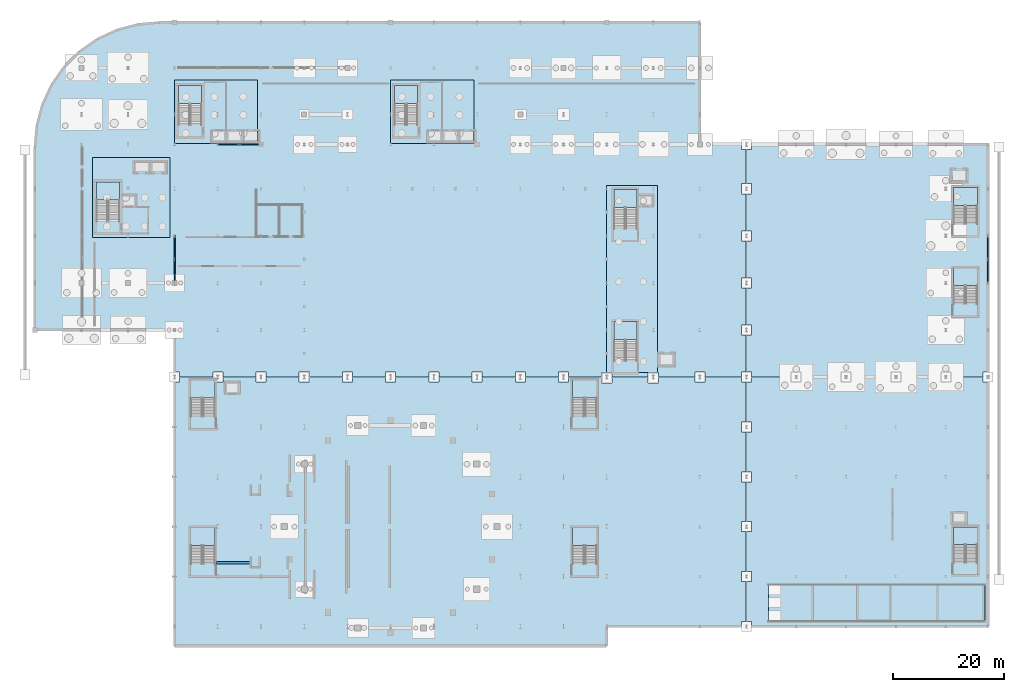
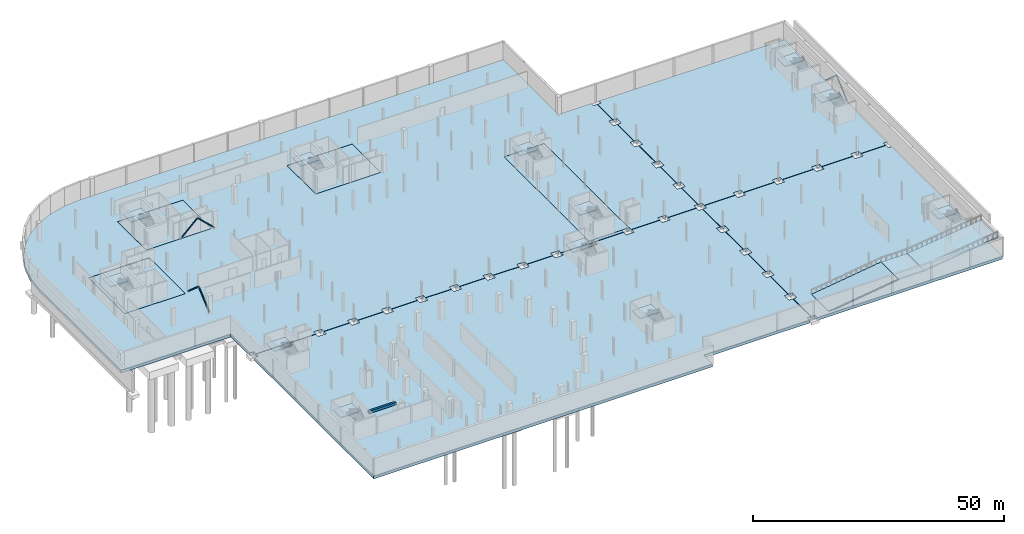
# One storey, part 20 of 45: 23 slabs, 6 members, 1 beam, 12 elements without a shape of their own.
"""IFC4 building model written with IfcOpenShell, lengths in metres."""

from ifc_helpers import new_model, si_unit, direction, frame, origin, origin_2d, place, context, subcontext, project, spatial, polyline, rectangle, hollow_circle, outline, extrude, material, layer, layer_set, material_profile, profile_set, type_object, element, aggregate, save


model = new_model("IFC4")

# Units and contexts
model_context = context("Model", 3, precision=1e-05, world=origin(), true_north=direction((0.0, 1.0)))
body_context = subcontext(model_context, "Body", "Model", "MODEL_VIEW")
ifc_project = project(units=[si_unit("LENGTHUNIT", "METRE"), si_unit("AREAUNIT", "SQUARE_METRE"), si_unit("VOLUMEUNIT", "CUBIC_METRE"), si_unit("PLANEANGLEUNIT", "RADIAN"), si_unit("MASSUNIT", "GRAM", prefix="KILO")], contexts=[model_context])

# Site, building, storey
site_placement = place(None, origin())
site = spatial("IfcSite", under=ifc_project, at=site_placement, CompositionType="ELEMENT")
building_placement = place(site_placement, origin())
building = spatial("IfcBuilding", under=site, at=building_placement, Name="Sefraquen Railside Congress Hotel", CompositionType="ELEMENT")
storey_placement = place(building_placement, frame((0.0, 0.0, -4.5)))
storey = spatial("IfcBuildingStorey", under=building, at=storey_placement, Name="B01", CompositionType="ELEMENT", Elevation=-4.5)

# Beam
ifc_material_1 = material(Name="Concrete C50/60", Category="concrete")
ifc_material_profile_1 = material_profile(ifc_material_1, rectangle(XDim=0.449951171875, YDim=0.60009765625, at=origin_2d()), Name="RC 600x450")
ifc_profile_set_1 = profile_set([ifc_material_profile_1], Name="Concrete C50/60")
beam_type = type_object("IfcBeamType", Name="TB-RC-TRIM", PredefinedType="BEAM", material=ifc_profile_set_1)
beam_placement = place(storey_placement, frame((32.675048828125, 20.5, 3.875), z_axis=(1.0, 0.0, 0.0), x_axis=(0.0, 1.0, 0.0)))
element("IfcBeam", 1, at=beam_placement, inside=storey, type_object=beam_type, Name="Core transfer concrete trimmer beam", PredefinedType="BEAM", context=body_context, shape_type="SweptSolid", body=[
    extrude(rectangle(XDim=0.449951171875, YDim=0.60009765625, at=origin_2d()), origin(), (0.0, 0.0, 1.0), 6.27490234375),
])

# Members
ifc_material_2 = material(Name="Steel S355J2", Category="steel")
ifc_material_profile_2 = material_profile(ifc_material_2, hollow_circle(Radius=0.136474609375, WallThickness=0.012451171875, at=origin_2d()), Name="CHS 273x12.5")
ifc_profile_set_2 = profile_set([ifc_material_profile_2], Name="Steel S355J2")
member_type = type_object("IfcMemberType", Name="TM-BR-273", PredefinedType="BRACE", material=ifc_profile_set_2)
member_1_placement = place(storey_placement, frame((33.0, 96.0, 0.14990234375), z_axis=(0.725436952647, 0.0, 0.688288622406), x_axis=(0.0, 1.0, 0.0)))
element("IfcMember", 2, at=member_1_placement, inside=storey, type_object=member_type, Name="Chevron braced-frame diagonal BF1-L B01", PredefinedType="BRACE", context=body_context, shape_type="SweptSolid", body=[
    extrude(hollow_circle(Radius=0.136474609375, WallThickness=0.012451171875, at=origin_2d()), origin(), (0.0, 0.0, 1.0), 5.3759765625),
])
member_2_placement = place(storey_placement, frame((40.800048828125, 96.0, 0.14990234375), z_axis=(-0.725458465882, 0.0, 0.688265947349), x_axis=(0.0, -1.0, 0.0)))
element("IfcMember", 3, at=member_2_placement, inside=storey, type_object=member_type, Name="Chevron braced-frame diagonal BF1-R B01", PredefinedType="BRACE", context=body_context, shape_type="SweptSolid", body=[
    extrude(hollow_circle(Radius=0.136474609375, WallThickness=0.012451171875, at=origin_2d()), origin(), (0.0, 0.0, 1.0), 5.376220703125),
])
for number, where, z_axis, x_axis, name in (
    (4, (25.199951171875, 71.0, 0.14990234375), (0.0, 0.754206174494, 0.656637682711), (-1.0, 0.0, 0.0), "Chevron braced-frame diagonal BF2-L B01"),
    (5, (25.199951171875, 79.5, 0.14990234375), (0.0, -0.754206174494, 0.656637682711), (1.0, 0.0, 0.0), "Chevron braced-frame diagonal BF2-R B01"),
    (6, (172.0, 71.0, 0.14990234375), (0.0, 0.754206174494, 0.656637682711), (-1.0, 0.0, 0.0), "Chevron braced-frame diagonal BF3-L B01"),
    (7, (172.0, 79.5, 0.14990234375), (0.0, -0.754206174494, 0.656637682711), (1.0, 0.0, 0.0), "Chevron braced-frame diagonal BF3-R B01"),
):
    element("IfcMember", number, at=place(storey_placement, frame(where, z_axis=z_axis, x_axis=x_axis)), inside=storey, type_object=member_type, Name=name, PredefinedType="BRACE", context=body_context, shape_type="SweptSolid", body=[
        extrude(hollow_circle(Radius=0.136474609375, WallThickness=0.012451171875, at=origin_2d()), origin(), (0.0, 0.0, 1.0), 5.635009765625),
    ])

# Slabs
ifc_material_3 = material(Name="Concrete C40/50", Category="concrete")
ifc_layer_1 = layer(ifc_material_3, 0.699951171875)
ifc_layer_set_1 = layer_set([ifc_layer_1], Name="Concrete C40/50")
slab_type_1 = type_object("IfcSlabType", Name="TS-BS-700", PredefinedType="BASESLAB", material=ifc_layer_set_1)
slab_1_placement = place(storey_placement, frame((0.0, 0.0, -0.699951171875)))
element("IfcSlab", 8, at=slab_1_placement, inside=storey, type_object=slab_type_1, Name="Basement B01 SW waterproofed foundation base slab", PredefinedType="BASESLAB", context=body_context, shape_type="SweptSolid", body=[
    extrude(outline(polyline([(103.199951171875, 5.5), (25.199951171875, 5.5), (25.199951171875, 53.090087890625), (26.110107421875, 53.090087890625), (26.110107421875, 53.949951171875), (32.090087890625, 53.949951171875), (32.090087890625, 53.090087890625), (33.909912109375, 53.090087890625), (33.909912109375, 53.949951171875), (39.889892578125, 53.949951171875), (39.889892578125, 53.090087890625), (41.7099609375, 53.090087890625), (41.7099609375, 53.949951171875), (47.68994140625, 53.949951171875), (47.68994140625, 53.090087890625), (49.510009765625, 53.090087890625), (49.510009765625, 53.949951171875), (55.489990234375, 53.949951171875), (55.489990234375, 53.090087890625), (57.31005859375, 53.090087890625), (57.31005859375, 53.949951171875), (63.2900390625, 53.949951171875), (63.2900390625, 53.090087890625), (65.110107421875, 53.090087890625), (65.110107421875, 53.949951171875), (71.090087890625, 53.949951171875), (71.090087890625, 53.090087890625), (72.909912109375, 53.090087890625), (72.909912109375, 53.949951171875), (78.889892578125, 53.949951171875), (78.889892578125, 53.090087890625), (80.7099609375, 53.090087890625), (80.7099609375, 53.949951171875), (86.68994140625, 53.949951171875), (86.68994140625, 53.090087890625), (88.510009765625, 53.090087890625), (88.510009765625, 53.949951171875), (94.489990234375, 53.949951171875), (94.489990234375, 53.090087890625), (96.31005859375, 53.090087890625), (96.31005859375, 53.949951171875), (102.2900390625, 53.949951171875), (102.2900390625, 52.969970703125), (104.110107421875, 52.969970703125), (104.110107421875, 53.949951171875), (110.68994140625, 53.949951171875), (110.68994140625, 52.969970703125), (112.510009765625, 52.969970703125), (112.510009765625, 53.949951171875), (119.090087890625, 53.949951171875), (119.090087890625, 53.090087890625), (120.909912109375, 53.090087890625), (120.909912109375, 53.949951171875), (127.489990234375, 53.949951171875), (127.489990234375, 53.090087890625), (128.35009765625, 53.090087890625), (128.35009765625, 45.909912109375), (127.489990234375, 45.909912109375), (127.489990234375, 44.090087890625), (128.35009765625, 44.090087890625), (128.35009765625, 36.909912109375), (127.489990234375, 36.909912109375), (127.489990234375, 35.090087890625), (128.35009765625, 35.090087890625), (128.35009765625, 27.909912109375), (127.489990234375, 27.909912109375), (127.489990234375, 26.090087890625), (128.35009765625, 26.090087890625), (128.35009765625, 18.909912109375), (127.489990234375, 18.909912109375), (127.489990234375, 17.090087890625), (128.35009765625, 17.090087890625), (128.35009765625, 9.909912109375), (127.489990234375, 9.909912109375), (127.489990234375, 9.0), (103.199951171875, 9.0), (103.199951171875, 5.5)])), origin(), (0.0, 0.0, 1.0), 0.699951171875),
])
slab_2_placement = place(storey_placement, frame((0.0, 0.0, -0.699951171875)))
element("IfcSlab", 9, at=slab_2_placement, inside=storey, type_object=slab_type_1, Name="Basement B01 SE waterproofed foundation base slab", PredefinedType="BASESLAB", context=body_context, shape_type="SweptSolid", body=[
    extrude(outline(polyline([(171.090087890625, 53.090087890625), (172.0, 53.090087890625), (172.0, 9.0), (129.31005859375, 9.0), (129.31005859375, 9.909912109375), (128.449951171875, 9.909912109375), (128.449951171875, 17.090087890625), (129.31005859375, 17.090087890625), (129.31005859375, 18.909912109375), (128.449951171875, 18.909912109375), (128.449951171875, 26.090087890625), (129.31005859375, 26.090087890625), (129.31005859375, 27.909912109375), (128.449951171875, 27.909912109375), (128.449951171875, 35.090087890625), (129.31005859375, 35.090087890625), (129.31005859375, 36.909912109375), (128.449951171875, 36.909912109375), (128.449951171875, 44.090087890625), (129.31005859375, 44.090087890625), (129.31005859375, 45.909912109375), (128.449951171875, 45.909912109375), (128.449951171875, 53.090087890625), (129.31005859375, 53.090087890625), (129.31005859375, 53.949951171875), (136.489990234375, 53.949951171875), (136.489990234375, 53.090087890625), (138.31005859375, 53.090087890625), (138.31005859375, 53.949951171875), (145.489990234375, 53.949951171875), (145.489990234375, 53.090087890625), (147.31005859375, 53.090087890625), (147.31005859375, 53.949951171875), (154.489990234375, 53.949951171875), (154.489990234375, 53.090087890625), (156.31005859375, 53.090087890625), (156.31005859375, 53.949951171875), (163.489990234375, 53.949951171875), (163.489990234375, 53.090087890625), (165.31005859375, 53.090087890625), (165.31005859375, 53.949951171875), (171.090087890625, 53.949951171875), (171.090087890625, 53.090087890625)]), holes=[polyline([(134.679931640625, 16.639892578125), (132.360107421875, 16.639892578125), (132.360107421875, 9.760009765625), (134.679931640625, 9.760009765625), (134.679931640625, 16.639892578125)])]), origin(), (0.0, 0.0, 1.0), 0.699951171875),
])
slab_3_placement = place(storey_placement, frame((0.0, 0.0, -0.699951171875)))
element("IfcSlab", 10, at=slab_3_placement, inside=storey, type_object=slab_type_1, Name="Basement B01 NW waterproofed foundation base slab", PredefinedType="BASESLAB", context=body_context, shape_type="SweptSolid", body=[
    extrude(outline(polyline([(26.110107421875, 54.909912109375), (25.199951171875, 54.909912109375), (25.199951171875, 62.5), (0.0, 62.5), (0.0, 95.5), (0.341796875, 99.406982421875), (1.35693359375, 103.195556640625), (3.014404296875, 106.75), (5.263916015625, 109.962646484375), (8.037353515625, 112.736083984375), (11.25, 114.985595703125), (14.804443359375, 116.64306640625), (18.593017578125, 117.658203125), (22.5, 118.0), (120.0, 118.0), (120.0, 96.0), (127.489990234375, 96.0), (127.489990234375, 95.090087890625), (128.35009765625, 95.090087890625), (128.35009765625, 88.909912109375), (127.489990234375, 88.909912109375), (127.489990234375, 87.090087890625), (128.35009765625, 87.090087890625), (128.35009765625, 80.409912109375), (127.489990234375, 80.409912109375), (127.489990234375, 78.590087890625), (128.35009765625, 78.590087890625), (128.35009765625, 71.909912109375), (127.489990234375, 71.909912109375), (127.489990234375, 70.090087890625), (128.35009765625, 70.090087890625), (128.35009765625, 63.409912109375), (127.489990234375, 63.409912109375), (127.489990234375, 61.590087890625), (128.35009765625, 61.590087890625), (128.35009765625, 54.909912109375), (127.489990234375, 54.909912109375), (127.489990234375, 54.050048828125), (120.909912109375, 54.050048828125), (120.909912109375, 54.909912109375), (119.090087890625, 54.909912109375), (119.090087890625, 54.050048828125), (112.510009765625, 54.050048828125), (112.510009765625, 54.7900390625), (110.68994140625, 54.7900390625), (110.68994140625, 54.050048828125), (104.110107421875, 54.050048828125), (104.110107421875, 54.7900390625), (102.2900390625, 54.7900390625), (102.2900390625, 54.050048828125), (96.31005859375, 54.050048828125), (96.31005859375, 54.909912109375), (94.489990234375, 54.909912109375), (94.489990234375, 54.050048828125), (88.510009765625, 54.050048828125), (88.510009765625, 54.909912109375), (86.68994140625, 54.909912109375), (86.68994140625, 54.050048828125), (80.7099609375, 54.050048828125), (80.7099609375, 54.909912109375), (78.889892578125, 54.909912109375), (78.889892578125, 54.050048828125), (72.909912109375, 54.050048828125), (72.909912109375, 54.909912109375), (71.090087890625, 54.909912109375), (71.090087890625, 54.050048828125), (65.110107421875, 54.050048828125), (65.110107421875, 54.909912109375), (63.2900390625, 54.909912109375), (63.2900390625, 54.050048828125), (57.31005859375, 54.050048828125), (57.31005859375, 54.909912109375), (55.489990234375, 54.909912109375), (55.489990234375, 54.050048828125), (49.510009765625, 54.050048828125), (49.510009765625, 54.909912109375), (47.68994140625, 54.909912109375), (47.68994140625, 54.050048828125), (41.7099609375, 54.050048828125), (41.7099609375, 54.909912109375), (39.889892578125, 54.909912109375), (39.889892578125, 54.050048828125), (33.909912109375, 54.050048828125), (33.909912109375, 54.909912109375), (32.090087890625, 54.909912109375), (32.090087890625, 54.050048828125), (26.110107421875, 54.050048828125), (26.110107421875, 54.909912109375)]), holes=[polyline([(24.39990234375, 93.60009765625), (10.39990234375, 93.60009765625), (10.39990234375, 79.199951171875), (24.39990234375, 79.199951171875), (24.39990234375, 93.60009765625)]), polyline([(40.199951171875, 107.60009765625), (25.199951171875, 107.60009765625), (25.199951171875, 96.199951171875), (40.199951171875, 96.199951171875), (40.199951171875, 107.60009765625)]), polyline([(79.199951171875, 107.60009765625), (64.199951171875, 107.60009765625), (64.199951171875, 96.199951171875), (79.199951171875, 96.199951171875), (79.199951171875, 107.60009765625)]), polyline([(112.39990234375, 88.60009765625), (103.199951171875, 88.60009765625), (103.199951171875, 54.800048828125), (112.39990234375, 54.800048828125), (112.39990234375, 88.60009765625)])]), origin(), (0.0, 0.0, 1.0), 0.699951171875),
])
slab_4_placement = place(storey_placement, frame((0.0, 0.0, -0.699951171875)))
element("IfcSlab", 11, at=slab_4_placement, inside=storey, type_object=slab_type_1, Name="Basement B01 NE waterproofed foundation base slab", PredefinedType="BASESLAB", context=body_context, shape_type="SweptSolid", body=[
    extrude(outline(polyline([(129.31005859375, 95.090087890625), (129.31005859375, 96.0), (172.0, 96.0), (172.0, 54.909912109375), (171.090087890625, 54.909912109375), (171.090087890625, 54.050048828125), (165.31005859375, 54.050048828125), (165.31005859375, 54.909912109375), (163.489990234375, 54.909912109375), (163.489990234375, 54.050048828125), (156.31005859375, 54.050048828125), (156.31005859375, 54.909912109375), (154.489990234375, 54.909912109375), (154.489990234375, 54.050048828125), (147.31005859375, 54.050048828125), (147.31005859375, 54.909912109375), (145.489990234375, 54.909912109375), (145.489990234375, 54.050048828125), (138.31005859375, 54.050048828125), (138.31005859375, 54.909912109375), (136.489990234375, 54.909912109375), (136.489990234375, 54.050048828125), (129.31005859375, 54.050048828125), (129.31005859375, 54.909912109375), (128.449951171875, 54.909912109375), (128.449951171875, 61.590087890625), (129.31005859375, 61.590087890625), (129.31005859375, 63.409912109375), (128.449951171875, 63.409912109375), (128.449951171875, 70.090087890625), (129.31005859375, 70.090087890625), (129.31005859375, 71.909912109375), (128.449951171875, 71.909912109375), (128.449951171875, 78.590087890625), (129.31005859375, 78.590087890625), (129.31005859375, 80.409912109375), (128.449951171875, 80.409912109375), (128.449951171875, 87.090087890625), (129.31005859375, 87.090087890625), (129.31005859375, 88.909912109375), (128.449951171875, 88.909912109375), (128.449951171875, 95.090087890625), (129.31005859375, 95.090087890625)])), origin(), (0.0, 0.0, 1.0), 0.699951171875),
])
ifc_layer_2 = layer(ifc_material_3, 0.89990234375)
ifc_layer_set_2 = layer_set([ifc_layer_2], Name="Concrete C40/50")
slab_type_2 = type_object("IfcSlabType", Name="TS-BS-900", PredefinedType="BASESLAB", material=ifc_layer_set_2)
slab_5_placement = place(storey_placement, frame((0.0, 0.0, -0.89990234375)))
element("IfcSlab", 12, at=slab_5_placement, inside=storey, type_object=slab_type_2, Name="Core foundation raft FTG-RAFT-01", PredefinedType="BASESLAB", context=body_context, shape_type="SweptSolid", body=[
    extrude(outline(polyline([(10.39990234375, 79.199951171875), (24.39990234375, 79.199951171875), (24.39990234375, 93.60009765625), (10.39990234375, 93.60009765625), (10.39990234375, 79.199951171875)])), origin(), (0.0, 0.0, 1.0), 0.89990234375),
])
slab_6_placement = place(storey_placement, frame((0.0, 0.0, -0.89990234375)))
element("IfcSlab", 13, at=slab_6_placement, inside=storey, type_object=slab_type_2, Name="Core foundation raft FTG-RAFT-02", PredefinedType="BASESLAB", context=body_context, shape_type="SweptSolid", body=[
    extrude(outline(polyline([(25.199951171875, 96.199951171875), (40.199951171875, 96.199951171875), (40.199951171875, 107.60009765625), (25.199951171875, 107.60009765625), (25.199951171875, 96.199951171875)])), origin(), (0.0, 0.0, 1.0), 0.89990234375),
])
slab_7_placement = place(storey_placement, frame((0.0, 0.0, -0.89990234375)))
element("IfcSlab", 14, at=slab_7_placement, inside=storey, type_object=slab_type_2, Name="Core foundation raft FTG-RAFT-03", PredefinedType="BASESLAB", context=body_context, shape_type="SweptSolid", body=[
    extrude(outline(polyline([(64.199951171875, 96.199951171875), (79.199951171875, 96.199951171875), (79.199951171875, 107.60009765625), (64.199951171875, 107.60009765625), (64.199951171875, 96.199951171875)])), origin(), (0.0, 0.0, 1.0), 0.89990234375),
])
slab_8_placement = place(storey_placement, frame((0.0, 0.0, -0.89990234375)))
element("IfcSlab", 15, at=slab_8_placement, inside=storey, type_object=slab_type_2, Name="Core foundation raft FTG-RAFT-04", PredefinedType="BASESLAB", context=body_context, shape_type="SweptSolid", body=[
    extrude(outline(polyline([(103.199951171875, 54.800048828125), (112.39990234375, 54.800048828125), (112.39990234375, 88.60009765625), (103.199951171875, 88.60009765625), (103.199951171875, 54.800048828125)])), origin(), (0.0, 0.0, 1.0), 0.89990234375),
])

# Stair, slab
stair_type_1 = type_object("IfcStairType", Name="TST-DOG-198-360", PredefinedType="HALF_TURN_STAIR", material=ifc_material_3)
stair_1_placement = place(storey_placement, origin())
stair_1 = element("IfcStair", 16, at=stair_1_placement, inside=storey, type_object=stair_type_1, Name="B01 Pressurized escape stair ST-H01", PredefinedType="HALF_TURN_STAIR")
ifc_layer_3 = layer(ifc_material_3, 0.199951171875)
ifc_layer_set_3 = layer_set([ifc_layer_3], Name="Concrete C40/50")
slab_type_3 = type_object("IfcSlabType", Name="TS-LD-200", PredefinedType="LANDING", material=ifc_layer_set_3)
slab_9_placement = place(storey_placement, frame((0.0, 0.0, 2.050048828125)))
slab_9 = element("IfcSlab", 17, at=slab_9_placement, type_object=slab_type_3, Name="ST-H01 landing 1", PredefinedType="LANDING", context=body_context, shape_type="SweptSolid", body=[
    extrude(outline(polyline([(15.260009765625, 85.944091796875), (15.260009765625, 89.2119140625), (11.10009765625, 89.2119140625), (11.10009765625, 85.944091796875), (15.260009765625, 85.944091796875)])), origin(), (0.0, 0.0, 1.0), 0.199951171875),
])
aggregate(stair_1, [slab_9])

stair_type_2 = type_object("IfcStairType", Name="TST-DOG-198-420", PredefinedType="HALF_TURN_STAIR", material=ifc_material_3)
stair_2_placement = place(storey_placement, origin())
stair_2 = element("IfcStair", 18, at=stair_2_placement, inside=storey, type_object=stair_type_2, Name="B01 Pressurized escape stair ST-H02", PredefinedType="HALF_TURN_STAIR")
slab_10_placement = place(storey_placement, frame((0.0, 0.0, 2.050048828125)))
slab_10 = element("IfcSlab", 19, at=slab_10_placement, type_object=slab_type_3, Name="ST-H02 landing 1", PredefinedType="LANDING", context=body_context, shape_type="SweptSolid", body=[
    extrude(outline(polyline([(30.06005859375, 103.343994140625), (30.06005859375, 106.612060546875), (25.89990234375, 106.612060546875), (25.89990234375, 103.343994140625), (30.06005859375, 103.343994140625)])), origin(), (0.0, 0.0, 1.0), 0.199951171875),
])
aggregate(stair_2, [slab_10])

stair_type_3 = type_object("IfcStairType", Name="TST-DOG-198-450", PredefinedType="HALF_TURN_STAIR", material=ifc_material_3)
stair_3_placement = place(storey_placement, origin())
stair_3 = element("IfcStair", 20, at=stair_3_placement, inside=storey, type_object=stair_type_3, Name="B01 Pressurized escape stair ST-H03", PredefinedType="HALF_TURN_STAIR")
slab_11_placement = place(storey_placement, frame((0.0, 0.0, 2.050048828125)))
slab_11 = element("IfcSlab", 21, at=slab_11_placement, type_object=slab_type_3, Name="ST-H03 landing 1", PredefinedType="LANDING", context=body_context, shape_type="SweptSolid", body=[
    extrude(outline(polyline([(69.06005859375, 103.343994140625), (69.06005859375, 106.612060546875), (64.89990234375, 106.612060546875), (64.89990234375, 103.343994140625), (69.06005859375, 103.343994140625)])), origin(), (0.0, 0.0, 1.0), 0.199951171875),
])
aggregate(stair_3, [slab_11])

stair_type_4 = type_object("IfcStairType", Name="TST-DOG-198-480", PredefinedType="HALF_TURN_STAIR", material=ifc_material_3)
stair_4_placement = place(storey_placement, origin())
stair_4 = element("IfcStair", 22, at=stair_4_placement, inside=storey, type_object=stair_type_4, Name="B01 Pressurized escape stair ST-M01", PredefinedType="HALF_TURN_STAIR")
slab_12_placement = place(storey_placement, frame((0.0, 0.0, 2.050048828125)))
slab_12 = element("IfcSlab", 23, at=slab_12_placement, type_object=slab_type_3, Name="ST-M01 landing 1", PredefinedType="LANDING", context=body_context, shape_type="SweptSolid", body=[
    extrude(outline(polyline([(108.659912109375, 84.593994140625), (108.659912109375, 87.862060546875), (104.5, 87.862060546875), (104.5, 84.593994140625), (108.659912109375, 84.593994140625)])), origin(), (0.0, 0.0, 1.0), 0.199951171875),
])
aggregate(stair_4, [slab_12])

stair_type_5 = type_object("IfcStairType", Name="TST-DOG-198-540", PredefinedType="HALF_TURN_STAIR", material=ifc_material_3)
stair_5_placement = place(storey_placement, origin())
stair_5 = element("IfcStair", 24, at=stair_5_placement, inside=storey, type_object=stair_type_5, Name="B01 Pressurized escape stair ST-M02", PredefinedType="HALF_TURN_STAIR")
slab_13_placement = place(storey_placement, frame((0.0, 0.0, 2.050048828125)))
slab_13 = element("IfcSlab", 25, at=slab_13_placement, type_object=slab_type_3, Name="ST-M02 landing 1", PredefinedType="LANDING", context=body_context, shape_type="SweptSolid", body=[
    extrude(outline(polyline([(108.659912109375, 60.743896484375), (108.659912109375, 64.011962890625), (104.5, 64.011962890625), (104.5, 60.743896484375), (108.659912109375, 60.743896484375)])), origin(), (0.0, 0.0, 1.0), 0.199951171875),
])
aggregate(stair_5, [slab_13])

stair_type_6 = type_object("IfcStairType", Name="TST-DOG-210-600", PredefinedType="HALF_TURN_STAIR", material=ifc_material_3)
stair_6_placement = place(storey_placement, origin())
stair_6 = element("IfcStair", 26, at=stair_6_placement, inside=storey, type_object=stair_type_6, Name="B01 Pressurized escape stair ST-C01", PredefinedType="HALF_TURN_STAIR")
slab_14_placement = place(storey_placement, frame((0.0, 0.0, 2.050048828125)))
slab_14 = element("IfcSlab", 27, at=slab_14_placement, type_object=slab_type_3, Name="ST-C01 landing 1", PredefinedType="LANDING", context=body_context, shape_type="SweptSolid", body=[
    extrude(outline(polyline([(32.5, 23.6201171875), (32.5, 26.840087890625), (28.10009765625, 26.840087890625), (28.10009765625, 23.6201171875), (32.5, 23.6201171875)])), origin(), (0.0, 0.0, 1.0), 0.199951171875),
])
aggregate(stair_6, [slab_14])

stair_type_7 = type_object("IfcStairType", Name="TST-DOG-210-540", PredefinedType="HALF_TURN_STAIR", material=ifc_material_3)
stair_7_placement = place(storey_placement, origin())
stair_7 = element("IfcStair", 28, at=stair_7_placement, inside=storey, type_object=stair_type_7, Name="B01 Pressurized escape stair ST-C02", PredefinedType="HALF_TURN_STAIR")
slab_15_placement = place(storey_placement, frame((0.0, 0.0, 2.050048828125)))
slab_15 = element("IfcSlab", 29, at=slab_15_placement, type_object=slab_type_3, Name="ST-C02 landing 1", PredefinedType="LANDING", context=body_context, shape_type="SweptSolid", body=[
    extrude(outline(polyline([(32.5, 50.2099609375), (32.5, 53.429931640625), (28.10009765625, 53.429931640625), (28.10009765625, 50.2099609375), (32.5, 50.2099609375)])), origin(), (0.0, 0.0, 1.0), 0.199951171875),
])
aggregate(stair_7, [slab_15])

stair_type_8 = type_object("IfcStairType", Name="TST-DOG-210-480", PredefinedType="HALF_TURN_STAIR", material=ifc_material_3)
stair_8_placement = place(storey_placement, origin())
stair_8 = element("IfcStair", 30, at=stair_8_placement, inside=storey, type_object=stair_type_8, Name="B01 Pressurized escape stair ST-C03", PredefinedType="HALF_TURN_STAIR")
slab_16_placement = place(storey_placement, frame((0.0, 0.0, 2.050048828125)))
slab_16 = element("IfcSlab", 31, at=slab_16_placement, type_object=slab_type_3, Name="ST-C03 landing 1", PredefinedType="LANDING", context=body_context, shape_type="SweptSolid", body=[
    extrude(outline(polyline([(101.39990234375, 23.6201171875), (101.39990234375, 26.840087890625), (97.0, 26.840087890625), (97.0, 23.6201171875), (101.39990234375, 23.6201171875)])), origin(), (0.0, 0.0, 1.0), 0.199951171875),
])
aggregate(stair_8, [slab_16])

stair_type_9 = type_object("IfcStairType", Name="TST-DOG-210-450", PredefinedType="HALF_TURN_STAIR", material=ifc_material_3)
stair_9_placement = place(storey_placement, origin())
stair_9 = element("IfcStair", 32, at=stair_9_placement, inside=storey, type_object=stair_type_9, Name="B01 Pressurized escape stair ST-C04", PredefinedType="HALF_TURN_STAIR")
slab_17_placement = place(storey_placement, frame((0.0, 0.0, 2.050048828125)))
slab_17 = element("IfcSlab", 33, at=slab_17_placement, type_object=slab_type_3, Name="ST-C04 landing 1", PredefinedType="LANDING", context=body_context, shape_type="SweptSolid", body=[
    extrude(outline(polyline([(101.39990234375, 50.2099609375), (101.39990234375, 53.429931640625), (97.0, 53.429931640625), (97.0, 50.2099609375), (101.39990234375, 50.2099609375)])), origin(), (0.0, 0.0, 1.0), 0.199951171875),
])
aggregate(stair_9, [slab_17])

stair_type_10 = type_object("IfcStairType", Name="TST-DOG-205-600", PredefinedType="HALF_TURN_STAIR", material=ifc_material_3)
stair_10_placement = place(storey_placement, origin())
stair_10 = element("IfcStair", 34, at=stair_10_placement, inside=storey, type_object=stair_type_10, Name="B01 Pressurized escape stair ST-B01", PredefinedType="HALF_TURN_STAIR")
slab_18_placement = place(storey_placement, frame((0.0, 0.0, 2.050048828125)))
slab_18 = element("IfcSlab", 35, at=slab_18_placement, type_object=slab_type_3, Name="ST-B01 landing 1", PredefinedType="LANDING", context=body_context, shape_type="SweptSolid", body=[
    extrude(outline(polyline([(170.10009765625, 85.010009765625), (170.10009765625, 88.179931640625), (165.800048828125, 88.179931640625), (165.800048828125, 85.010009765625), (170.10009765625, 85.010009765625)])), origin(), (0.0, 0.0, 1.0), 0.199951171875),
])
aggregate(stair_10, [slab_18])

stair_type_11 = type_object("IfcStairType", Name="TST-DOG-205-540", PredefinedType="HALF_TURN_STAIR", material=ifc_material_3)
stair_11_placement = place(storey_placement, origin())
stair_11 = element("IfcStair", 36, at=stair_11_placement, inside=storey, type_object=stair_type_11, Name="B01 Pressurized escape stair ST-B02", PredefinedType="HALF_TURN_STAIR")
slab_19_placement = place(storey_placement, frame((0.0, 0.0, 2.050048828125)))
slab_19 = element("IfcSlab", 37, at=slab_19_placement, type_object=slab_type_3, Name="ST-B02 landing 1", PredefinedType="LANDING", context=body_context, shape_type="SweptSolid", body=[
    extrude(outline(polyline([(170.10009765625, 70.510009765625), (170.10009765625, 73.679931640625), (165.800048828125, 73.679931640625), (165.800048828125, 70.510009765625), (170.10009765625, 70.510009765625)])), origin(), (0.0, 0.0, 1.0), 0.199951171875),
])
aggregate(stair_11, [slab_19])

stair_12_placement = place(storey_placement, origin())
stair_12 = element("IfcStair", 38, at=stair_12_placement, inside=storey, type_object=stair_type_10, Name="B01 Pressurized escape stair ST-S01", PredefinedType="HALF_TURN_STAIR")
slab_20_placement = place(storey_placement, frame((0.0, 0.0, 2.050048828125)))
slab_20 = element("IfcSlab", 39, at=slab_20_placement, type_object=slab_type_3, Name="ST-S01 landing 1", PredefinedType="LANDING", context=body_context, shape_type="SweptSolid", body=[
    extrude(outline(polyline([(170.10009765625, 23.81005859375), (170.10009765625, 26.97998046875), (165.800048828125, 26.97998046875), (165.800048828125, 23.81005859375), (170.10009765625, 23.81005859375)])), origin(), (0.0, 0.0, 1.0), 0.199951171875),
])
aggregate(stair_12, [slab_20])

# Slabs
ifc_layer_4 = layer(ifc_material_3, 0.300048828125)
ifc_layer_set_4 = layer_set([ifc_layer_4], Name="Concrete C40/50")
slab_type_4 = type_object("IfcSlabType", Name="TS-VR-300", PredefinedType="LANDING", material=ifc_layer_set_4)
slab_21_placement = place(storey_placement, frame((132.39990234375, 9.800048828125, 0.0), z_axis=(-0.139254831399, 0.0, 0.990256578838), x_axis=(0.990256578838, 0.0, 0.139254831399)))
element("IfcSlab", 40, at=slab_21_placement, inside=storey, type_object=slab_type_4, Name="Car park structural vehicle ramp lower slab SLB-B01-VRAMP-F1", PredefinedType="LANDING", context=body_context, shape_type="SweptSolid", body=[
    extrude(outline(polyline([(0.0, 0.0), (16.157428632056526, 0.0), (16.157428632056526, 6.800048828125), (0.0, 6.800048828125), (0.0, 0.0)])), origin(), (0.0, 0.0, -1.0), 0.300048828125),
])
slab_22_placement = place(storey_placement, frame((0.0, 0.0, 1.949951171875)))
element("IfcSlab", 41, at=slab_22_placement, inside=storey, type_object=slab_type_4, Name="Car park structural vehicle ramp mid-landing slab SLB-B01-VRAMP-MID", PredefinedType="LANDING", context=body_context, shape_type="SweptSolid", body=[
    extrude(outline(polyline([(148.425048828125, 9.800048828125), (154.39990234375, 9.800048828125), (154.39990234375, 16.60009765625), (148.425048828125, 16.60009765625), (148.425048828125, 9.800048828125)])), origin(), (0.0, 0.0, 1.0), 0.300048828125),
])
slab_23_placement = place(storey_placement, frame((154.39990234375, 9.800048828125, 2.25), z_axis=(-0.131208719028, 0.0, 0.99135476599), x_axis=(0.99135476599, 0.0, 0.131208719028)))
element("IfcSlab", 42, at=slab_23_placement, inside=storey, type_object=slab_type_4, Name="Car park structural vehicle ramp upper slab SLB-B01-VRAMP-F2", PredefinedType="LANDING", context=body_context, shape_type="SweptSolid", body=[
    extrude(outline(polyline([(0.0, 0.0), (17.14825063964252, 0.0), (17.14825063964252, 6.800048828124999), (0.0, 6.800048828124999), (0.0, 0.0)])), origin(), (0.0, 0.0, -1.0), 0.300048828125),
])

save(model, "model.ifc")
